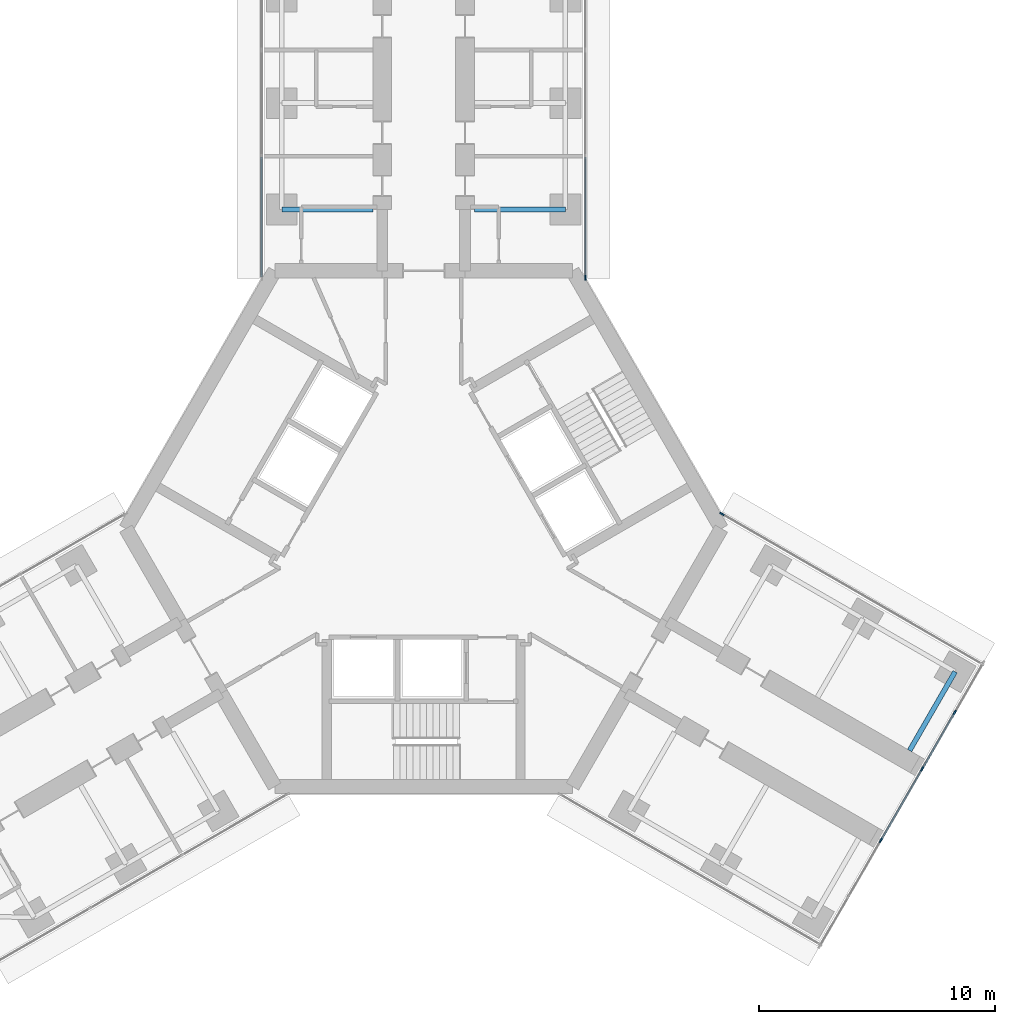
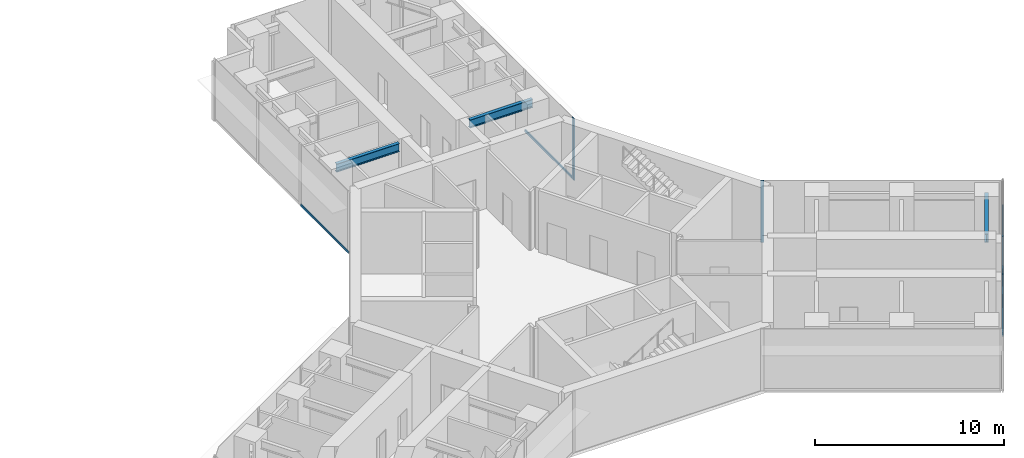
# One storey, part 10 of 22: 9 members, 3 beams, 4 elements without a shape of their own.
"""IFC4 building model written with IfcOpenShell, lengths in metres."""

from ifc_helpers import new_model, si_unit, direction, frame, origin, origin_2d, place, context, subcontext, project, spatial, rectangle, i_section, extrude, material, material_profile, profile_set, type_object, element, aggregate, save


model = new_model("IFC4")

# Units and contexts
model_context = context("Model", 3, precision=1e-05, world=origin(), true_north=direction((0.0, 1.0)))
body_context = subcontext(model_context, "Body", "Model", "MODEL_VIEW")
ifc_project = project(units=[si_unit("LENGTHUNIT", "METRE"), si_unit("AREAUNIT", "SQUARE_METRE"), si_unit("VOLUMEUNIT", "CUBIC_METRE"), si_unit("PLANEANGLEUNIT", "RADIAN"), si_unit("MASSUNIT", "GRAM", prefix="KILO")], contexts=[model_context])

# Site, building, storey
site_placement = place(None, origin())
site = spatial("IfcSite", under=ifc_project, at=site_placement, CompositionType="ELEMENT")
building_placement = place(site_placement, origin())
building = spatial("IfcBuilding", under=site, at=building_placement, Name="Upepo Twin Towers", CompositionType="ELEMENT")
storey_placement = place(building_placement, frame((0.0, 0.0, 121.5)))
storey = spatial("IfcBuildingStorey", under=building, at=storey_placement, Name="L29", CompositionType="ELEMENT", Elevation=121.5)

# Beams
ifc_material_1 = material(Name="Steel S355", Category="steel")
ifc_material_profile_1 = material_profile(ifc_material_1, i_section(OverallWidth=0.209228515625, OverallDepth=0.533203125, WebThickness=0.010009765625, FlangeThickness=0.015625, FilletRadius=0.0126953125, at=origin_2d()), Name="UB 533x210x92")
ifc_profile_set_1 = profile_set([ifc_material_profile_1], Name="Steel S355")
beam_type = type_object("IfcBeamType", Name="Beam UB 533x210x92", PredefinedType="BEAM", material=ifc_profile_set_1)
for number, where, z_axis, x_axis, name in (
    (1, (52.5, -4.5, 3.533447265625), (1.0, 0.0, 0.0), (0.0, 1.0, 0.0), "T2 girder AL at 13.5"),
    (2, (64.5, -4.5, 3.533447265625), (-1.0, 0.0, 0.0), (0.0, -1.0, 0.0), "T2 girder AR at 13.5"),
):
    element("IfcBeam", number, at=place(storey_placement, frame(where, z_axis=z_axis, x_axis=x_axis)), inside=storey, type_object=beam_type, Name=name, PredefinedType="BEAM", context=body_context, shape_type="SweptSolid", body=[
        extrude(i_section(OverallWidth=0.209228515625, OverallDepth=0.533203125, WebThickness=0.010009765625, FlangeThickness=0.015625, FilletRadius=0.0126953125, at=origin_2d()), origin(), (0.0, 0.0, 1.0), 3.85009765625),
    ])
beam_placement = place(storey_placement, frame((80.985595703125, -24.053955078125, 3.533447265625), z_axis=(-0.500033517596, -0.866006051527, 0.0), x_axis=(0.866006051527, -0.500033517596, 0.0)))
element("IfcBeam", 3, at=beam_placement, inside=storey, type_object=beam_type, Name="T2 girder CL at 22.5", PredefinedType="BEAM", context=body_context, shape_type="SweptSolid", body=[
    extrude(i_section(OverallWidth=0.209228515625, OverallDepth=0.533203125, WebThickness=0.010009765625, FlangeThickness=0.015625, FilletRadius=0.0126953125, at=origin_2d()), origin(), (0.0, 0.0, 1.0), 3.849853515625),
])

# Curtain wall, member
ifc_material_2 = material(Name="Aluminium and fritted glass", Category="aluminium")
curtain_wall_type = type_object("IfcCurtainWallType", Name="Tower curtain wall TW2, fritted glass", PredefinedType="NOTDEFINED", material=ifc_material_2)
curtain_wall_1_placement = place(storey_placement, origin())
curtain_wall_1 = element("IfcCurtainWall", 4, at=curtain_wall_1_placement, inside=storey, type_object=curtain_wall_type, Name="T2 L29 wing A flank R curtain wall", PredefinedType="NOTDEFINED")
ifc_material_3 = material(Name="Aluminium mullion", Category="aluminium")
ifc_material_profile_2 = material_profile(ifc_material_3, rectangle(XDim=0.06494140625, YDim=0.199951171875, at=origin_2d()), Name="MULLION 65x200")
ifc_profile_set_2 = profile_set([ifc_material_profile_2], Name="Aluminium mullion")
member_type_1 = type_object("IfcMemberType", Name="Mullion 65x200 TW2", PredefinedType="MULLION", material=ifc_profile_set_2)
member_1_placement = place(storey_placement, frame((65.35009765625, -7.38037109375, 0.0), z_axis=(0.0, 0.0, 1.0), x_axis=(1.0, 0.0, 0.0)))
member_1 = element("IfcMember", 5, at=member_1_placement, type_object=member_type_1, Name="T2 L29 wing A flank R curtain wall mullion 4", PredefinedType="MULLION", context=body_context, shape_type="SweptSolid", body=[
    extrude(rectangle(XDim=0.06494140625, YDim=0.199951171875, at=origin_2d()), origin(), (0.0, 0.0, 1.0), 4.0),
])

curtain_wall_2_placement = place(storey_placement, origin())
curtain_wall_2 = element("IfcCurtainWall", 6, at=curtain_wall_2_placement, inside=storey, type_object=curtain_wall_type, Name="T2 L29 wing C flank L curtain wall", PredefinedType="NOTDEFINED")
member_2_placement = place(storey_placement, frame((71.121826171875, -17.37744140625, 0.0), z_axis=(0.0, 0.0, 1.0), x_axis=(0.50000000792, 0.866025399212, 0.0)))
member_2 = element("IfcMember", 7, at=member_2_placement, type_object=member_type_1, Name="T2 L29 wing C flank L curtain wall mullion 1", PredefinedType="MULLION", context=body_context, shape_type="SweptSolid", body=[
    extrude(rectangle(XDim=0.06494140625, YDim=0.199951171875, at=origin_2d()), origin(), (0.0, 0.0, 1.0), 4.0),
])
aggregate(curtain_wall_2, [member_2])

# Curtain wall, members
curtain_wall_3_placement = place(storey_placement, origin())
curtain_wall_3 = element("IfcCurtainWall", 8, at=curtain_wall_3_placement, inside=storey, type_object=curtain_wall_type, Name="T2 L29 wing C nose curtain wall", PredefinedType="NOTDEFINED")
member_3_placement = place(storey_placement, frame((77.8466796875, -31.1904296875, 0.0), z_axis=(0.0, 0.0, 1.0), x_axis=(-0.866025419745, 0.499999972355, 0.0)))
member_3 = element("IfcMember", 9, at=member_3_placement, type_object=member_type_1, Name="T2 L29 wing C nose curtain wall mullion 3", PredefinedType="MULLION", context=body_context, shape_type="SweptSolid", body=[
    extrude(rectangle(XDim=0.06494140625, YDim=0.199951171875, at=origin_2d()), origin(), (0.0, 0.0, 1.0), 4.0),
])
member_4_placement = place(storey_placement, frame((79.5966796875, -28.159423828125, 0.0), z_axis=(0.0, 0.0, 1.0), x_axis=(-0.866025419745, 0.499999972355, 0.0)))
member_4 = element("IfcMember", 10, at=member_4_placement, type_object=member_type_1, Name="T2 L29 wing C nose curtain wall mullion 4", PredefinedType="MULLION", context=body_context, shape_type="SweptSolid", body=[
    extrude(rectangle(XDim=0.06494140625, YDim=0.199951171875, at=origin_2d()), origin(), (0.0, 0.0, 1.0), 4.0),
])
member_5_placement = place(storey_placement, frame((80.9716796875, -25.77783203125, 0.0), z_axis=(0.0, 0.0, 1.0), x_axis=(-0.866025419745, 0.499999972355, 0.0)))
member_5 = element("IfcMember", 11, at=member_5_placement, type_object=member_type_1, Name="T2 L29 wing C nose curtain wall mullion 5", PredefinedType="MULLION", context=body_context, shape_type="SweptSolid", body=[
    extrude(rectangle(XDim=0.06494140625, YDim=0.199951171875, at=origin_2d()), origin(), (0.0, 0.0, 1.0), 4.0),
])

# Curtain wall, member
curtain_wall_4_placement = place(storey_placement, origin())
curtain_wall_4 = element("IfcCurtainWall", 12, at=curtain_wall_4_placement, inside=storey, type_object=curtain_wall_type, Name="T2 L29 wing A flank L curtain wall", PredefinedType="NOTDEFINED")
ifc_material_4 = material(Name="Aluminium transom", Category="aluminium")
ifc_material_profile_3 = material_profile(ifc_material_4, rectangle(XDim=0.06494140625, YDim=0.14990234375, at=origin_2d()), Name="TRANSOM 65x150")
ifc_profile_set_3 = profile_set([ifc_material_profile_3], Name="Aluminium transom")
member_type_2 = type_object("IfcMemberType", Name="Transom 65x150 TW2", PredefinedType="USERDEFINED", material=ifc_profile_set_3)
member_6_placement = place(storey_placement, frame((51.64990234375, -7.347900390625, 0.074951171875), z_axis=(0.0, 1.0, 0.0), x_axis=(-1.0, 0.0, 0.0)))
member_6 = element("IfcMember", 13, at=member_6_placement, type_object=member_type_2, Name="T2 L29 wing A flank L curtain wall transom 1", ObjectType="TRANSOM", PredefinedType="USERDEFINED", context=body_context, shape_type="SweptSolid", body=[
    extrude(rectangle(XDim=0.06494140625, YDim=0.14990234375, at=origin_2d()), origin(), (0.0, 0.0, 1.0), 5.0654296875),
])
aggregate(curtain_wall_4, [member_6])

# Member
member_7_placement = place(storey_placement, frame((65.35009765625, -2.282470703125, 0.074951171875), z_axis=(0.0, -1.0, 0.0), x_axis=(1.0, 0.0, 0.0)))
member_7 = element("IfcMember", 14, at=member_7_placement, type_object=member_type_2, Name="T2 L29 wing A flank R curtain wall transom 3", ObjectType="TRANSOM", PredefinedType="USERDEFINED", context=body_context, shape_type="SweptSolid", body=[
    extrude(rectangle(XDim=0.06494140625, YDim=0.14990234375, at=origin_2d()), origin(), (0.0, 0.0, 1.0), 5.0654296875),
])

aggregate(curtain_wall_1, [member_1, member_7])

member_8_placement = place(storey_placement, frame((77.863037109375, -31.162353515625, 0.074951171875), z_axis=(0.499945997713, 0.866056579774, 0.0), x_axis=(-0.866056579774, 0.499945997713, 0.0)))
member_8 = element("IfcMember", 15, at=member_8_placement, type_object=member_type_2, Name="T2 L29 wing C nose curtain wall transom 3", ObjectType="TRANSOM", PredefinedType="USERDEFINED", context=body_context, shape_type="SweptSolid", body=[
    extrude(rectangle(XDim=0.06494140625, YDim=0.14990234375, at=origin_2d()), origin(), (0.0, 0.0, 1.0), 3.43505859375),
])

member_9_placement = place(storey_placement, frame((79.613037109375, -28.13134765625, 0.074951171875), z_axis=(0.49995335277, 0.8660523339, 0.0), x_axis=(-0.8660523339, 0.49995335277, 0.0)))
member_9 = element("IfcMember", 16, at=member_9_placement, type_object=member_type_2, Name="T2 L29 wing C nose curtain wall transom 4", ObjectType="TRANSOM", PredefinedType="USERDEFINED", context=body_context, shape_type="SweptSolid", body=[
    extrude(rectangle(XDim=0.06494140625, YDim=0.14990234375, at=origin_2d()), origin(), (0.0, 0.0, 1.0), 2.684814453125),
])

aggregate(curtain_wall_3, [member_3, member_4, member_5, member_8, member_9])

save(model, "model.ifc")
